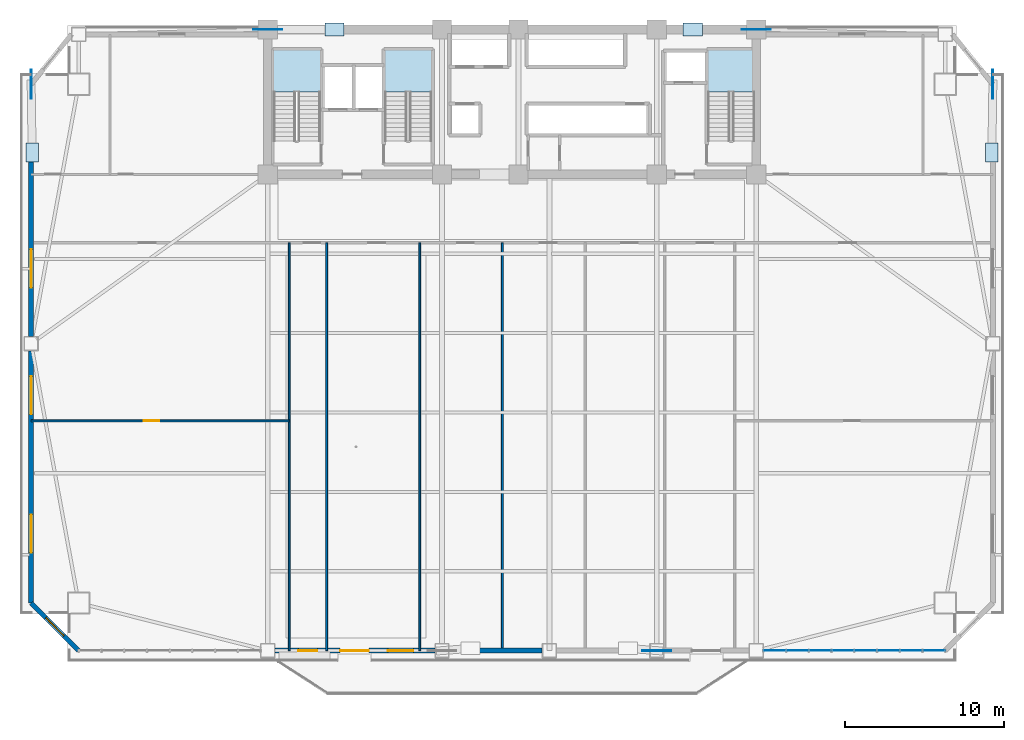
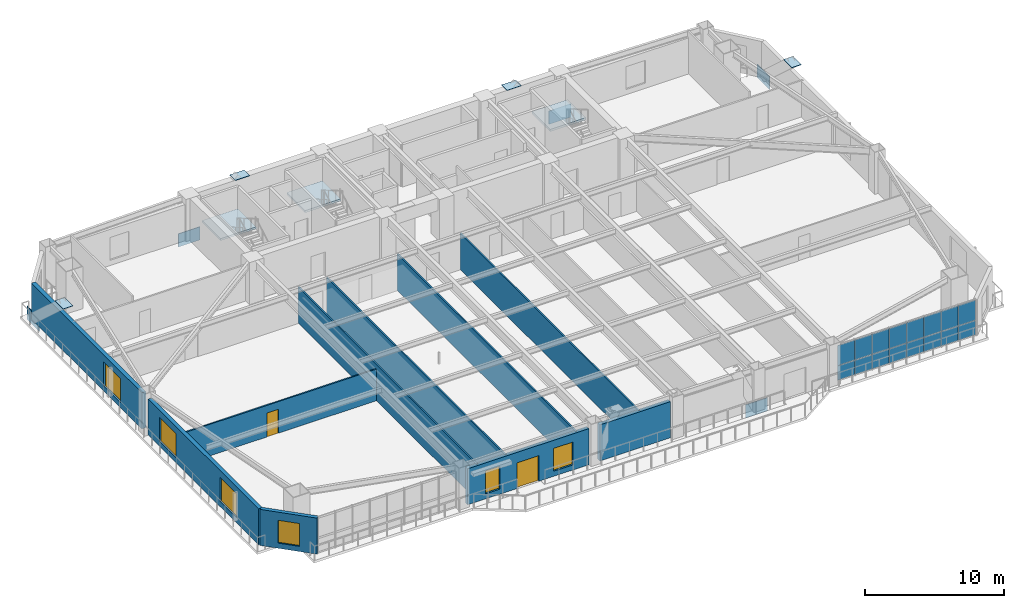
# One storey, part 7 of 15: 25 plates, 10 walls, 6 windows, 3 slabs, 2 doors, 8 openings, 4 elements without a shape of their own.
"""IFC4 building model written with IfcOpenShell, lengths in metres."""

import ifcopenshell
import ifcopenshell.guid

model = None  # the IFC model being written
_history = None  # IfcOwnerHistory: only IFC2X3 demands one
_inside = {}  # id of a spatial element -> (the spatial element, [elements in it])
_under = {}  # id of a project, library or spatial element -> (it, [spatial elements below it])
_declared = {}  # id of a project -> (the project, [libraries it declares])
_typed = {}  # id of a type object -> (the type object, [elements of that type])
_made_of = {}  # id of a material, layer set ... -> (it, [elements and type objects made of it])


def new_model(schema):
    """Start an empty IFC model of exactly this schema.

    Asked for "IFC4X3", IfcOpenShell would pick the latest addendum, in which some entities
    have other attributes; the version numbers below select the first issue.
    IFC2X3 requires an IfcOwnerHistory on every rooted entity: one is made here for all.
    """
    global model, _history
    if schema == "IFC4X3":
        model = ifcopenshell.file(schema_version=(4, 3, 0, 0))
    else:
        model = ifcopenshell.file(schema=schema)
    _inside.clear()
    _under.clear()
    _declared.clear()
    _typed.clear()
    _made_of.clear()
    _history = None
    if model.schema == "IFC2X3":
        org = make("IfcOrganization", Name="unknown")
        user = make(
            "IfcPersonAndOrganization",
            ThePerson=make("IfcPerson", FamilyName="unknown"),
            TheOrganization=org,
        )
        app = make(
            "IfcApplication",
            ApplicationDeveloper=org,
            Version="unknown",
            ApplicationFullName="unknown",
            ApplicationIdentifier="unknown",
        )
        _history = make(
            "IfcOwnerHistory",
            OwningUser=user,
            OwningApplication=app,
            ChangeAction="ADDED",
            CreationDate=0,
        )
    return model


def make(cls, **values):
    """One entity of the class cls with the attributes given. An attribute that is None is left unset."""
    return model.create_entity(
        cls, **{name: value for name, value in values.items() if value is not None}
    )


def rooted(cls, **values):
    """An entity with a GlobalId (a new one), such as an element, a storey or a relation."""
    return make(cls, GlobalId=ifcopenshell.guid.new(), OwnerHistory=_history, **values)


def si_unit(unit_type, name, prefix=None):
    """IfcSIUnit, for example si_unit("LENGTHUNIT", "METRE", prefix="MILLI")."""
    return make("IfcSIUnit", UnitType=unit_type, Prefix=prefix, Name=name)


def assignment(units):
    """IfcUnitAssignment: the units of a project."""
    return None if units is None else make("IfcUnitAssignment", Units=units)


def point(xyz):
    """IfcCartesianPoint."""
    return None if xyz is None else make("IfcCartesianPoint", Coordinates=xyz)


def direction(xyz):
    """IfcDirection."""
    return None if xyz is None else make("IfcDirection", DirectionRatios=xyz)


def frame(location, z_axis=None, x_axis=None):
    """IfcAxis2Placement3D, a coordinate frame: its origin and axes. An axis left out is left unset."""
    return make(
        "IfcAxis2Placement3D",
        Location=point(location),
        Axis=direction(z_axis),
        RefDirection=direction(x_axis),
    )


def frame_2d(location, x_axis=None):
    """IfcAxis2Placement2D, a coordinate frame in the plane: its origin and x axis."""
    return make(
        "IfcAxis2Placement2D", Location=point(location), RefDirection=direction(x_axis)
    )


def origin():
    """The frame at (0, 0, 0) with its axes left unset."""
    return frame((0.0, 0.0, 0.0))


def origin_2d():
    """The frame at (0, 0) in the plane with its x axis left unset."""
    return frame_2d((0.0, 0.0))


def place(relative_to, where):
    """IfcLocalPlacement: puts the frame where relative to a parent placement (None: the world)."""
    return make(
        "IfcLocalPlacement", PlacementRelTo=relative_to, RelativePlacement=where
    )


def context(
    kind, dimensions, precision=None, world=None, true_north=None, identifier=None
):
    """IfcGeometricRepresentationContext, for example the 3D "Model" context."""
    return make(
        "IfcGeometricRepresentationContext",
        ContextIdentifier=identifier,
        ContextType=kind,
        CoordinateSpaceDimension=dimensions,
        Precision=precision,
        WorldCoordinateSystem=world,
        TrueNorth=true_north,
    )


def subcontext(parent, identifier, kind, view, scale=None):
    """IfcGeometricRepresentationSubContext, for example "Body" below "Model"."""
    return make(
        "IfcGeometricRepresentationSubContext",
        ContextIdentifier=identifier,
        ContextType=kind,
        ParentContext=parent,
        TargetScale=scale,
        TargetView=view,
    )


def project(units=None, contexts=None):
    """IfcProject with its units and contexts."""
    return rooted(
        "IfcProject",
        Name="project",
        RepresentationContexts=contexts,
        UnitsInContext=assignment(units),
    )


def spatial(cls, under=None, at=None, **own):
    """A site, building, storey or space (cls), placed at a placement, below another one or the project."""
    s = rooted(cls, ObjectPlacement=at, **own)
    if under is not None:
        _under.setdefault(under.id(), (under, []))[1].append(s)
    return s


def polyline(points):
    """IfcPolyline through the points."""
    return make("IfcPolyline", Points=[point(p) for p in points])


def profile(cls, at=None, kind="AREA", **sizes):
    """A parametric profile (cls). Its sizes go by their IFC names, for example OverallWidth=200.0."""
    return make(cls, ProfileType=kind, Position=at, **sizes)


def rectangle(**sizes):
    """IfcRectangleProfileDef."""
    return profile("IfcRectangleProfileDef", **sizes)


def outline(outer, holes=None, kind="AREA"):
    """IfcArbitraryClosedProfileDef: a profile drawn as a closed curve; with holes, ...WithVoids."""
    if holes is None:
        return make("IfcArbitraryClosedProfileDef", ProfileType=kind, OuterCurve=outer)
    return make(
        "IfcArbitraryProfileDefWithVoids",
        ProfileType=kind,
        OuterCurve=outer,
        InnerCurves=holes,
    )


def extrude(swept, where, along, depth):
    """IfcExtrudedAreaSolid: the profile swept, set in the frame where, extruded along a direction by depth."""
    return make(
        "IfcExtrudedAreaSolid",
        SweptArea=swept,
        Position=where,
        ExtrudedDirection=direction(along),
        Depth=depth,
    )


def shape(context_of_items, identifier, shape_type, items):
    """IfcShapeRepresentation: the items that make up one representation, for example the "Body"."""
    return make(
        "IfcShapeRepresentation",
        ContextOfItems=context_of_items,
        RepresentationIdentifier=identifier,
        RepresentationType=shape_type,
        Items=items,
    )


def source(mapping_origin, context_of_items, identifier, shape_type, items):
    """IfcRepresentationMap: a shape defined once, which mapped items show again and again."""
    return make(
        "IfcRepresentationMap",
        MappingOrigin=mapping_origin,
        MappedRepresentation=shape(context_of_items, identifier, shape_type, items),
    )


def transform(
    local_origin,
    x_axis=None,
    y_axis=None,
    z_axis=None,
    scale=None,
    scale2=None,
    scale3=None,
    uniform=True,
):
    """IfcCartesianTransformationOperator3D, or its non-uniform kind. x_axis, y_axis, z_axis: its Axis1, 2, 3."""
    if uniform:
        return make(
            "IfcCartesianTransformationOperator3D",
            Axis1=direction(x_axis),
            Axis2=direction(y_axis),
            LocalOrigin=point(local_origin),
            Scale=scale,
            Axis3=direction(z_axis),
        )
    return make(
        "IfcCartesianTransformationOperator3DnonUniform",
        Axis1=direction(x_axis),
        Axis2=direction(y_axis),
        LocalOrigin=point(local_origin),
        Scale=scale,
        Axis3=direction(z_axis),
        Scale2=scale2,
        Scale3=scale3,
    )


def mapped(mapping_source, mapping_target):
    """IfcMappedItem: shows the shape of a source again, moved by a transform."""
    return make(
        "IfcMappedItem", MappingSource=mapping_source, MappingTarget=mapping_target
    )


def material(Name=None, Category=None):
    """IfcMaterial."""
    return make("IfcMaterial", Name=Name, Category=Category)


def layer(
    of_material, thickness, ventilated=None, Name=None, Category=None, Priority=None
):
    """IfcMaterialLayer: one layer of a wall or slab, of a material (None: an air gap)."""
    return make(
        "IfcMaterialLayer",
        Material=of_material,
        LayerThickness=thickness,
        IsVentilated=ventilated,
        Name=Name,
        Category=Category,
        Priority=Priority,
    )


def layer_set(layers, Name=None):
    """IfcMaterialLayerSet."""
    return make("IfcMaterialLayerSet", MaterialLayers=layers, LayerSetName=Name)


def made_of(thing, what):
    """Note that an element or type object is made of a material, layer set ...; save() writes the relation."""
    if what is not None:
        _made_of.setdefault(what.id(), (what, []))[1].append(thing)
    return thing


def type_object(cls, material=None, **own):
    """A type object (cls), such as IfcWallType, which elements share."""
    return made_of(rooted(cls, **own), material)


def element(
    cls,
    number,
    at=None,
    inside=None,
    cuts=None,
    type_object=None,
    material=None,
    context=None,
    identifier="Body",
    shape_type=None,
    held_by="IfcProductDefinitionShape",
    body=None,
    shapes=None,
    **own,
):
    """One element of the class cls, such as IfcWall. Its Tag is "e" and its number.

    at: its placement. inside: the storey or other place that contains it. cuts: it is an
    opening in that element (IfcRelVoidsElement). A single representation is given by context,
    identifier, shape_type and body (its items); several are given by shapes. held_by: the class
    of the entity that holds the representations. save() writes the other relations.
    """
    e = rooted(cls, Tag="e%d" % number, ObjectPlacement=at, **own)
    if body is not None:
        shapes = [shape(context, identifier, shape_type, body)]
    if shapes is not None:
        e.Representation = make(held_by, Representations=shapes)
    if inside is not None:
        _inside.setdefault(inside.id(), (inside, []))[1].append(e)
    if cuts is not None:
        rooted(
            "IfcRelVoidsElement", RelatingBuildingElement=cuts, RelatedOpeningElement=e
        )
    if type_object is not None:
        _typed.setdefault(type_object.id(), (type_object, []))[1].append(e)
    return made_of(e, material)


def fill(opening, filler):
    """IfcRelFillsElement: the door or window that sits in an opening."""
    return rooted(
        "IfcRelFillsElement",
        RelatingOpeningElement=opening,
        RelatedBuildingElement=filler,
    )


def aggregate(whole, parts):
    """IfcRelAggregates: a whole, such as a stair, and the parts it consists of."""
    return rooted("IfcRelAggregates", RelatingObject=whole, RelatedObjects=parts)


def save(model, path):
    """Write the relations noted so far, then the file.

    IfcRelAggregates (storeys below a building ...), IfcRelContainedInSpatialStructure (elements
    in a storey), IfcRelDefinesByType, IfcRelAssociatesMaterial and IfcRelDeclares: one each for
    every whole, place, type object, material and project.
    """
    for whole, parts in _under.values():
        aggregate(whole, parts)
    for where, things in _inside.values():
        rooted(
            "IfcRelContainedInSpatialStructure",
            RelatedElements=things,
            RelatingStructure=where,
        )
    for kind, things in _typed.values():
        rooted("IfcRelDefinesByType", RelatedObjects=things, RelatingType=kind)
    for what, things in _made_of.values():
        rooted("IfcRelAssociatesMaterial", RelatedObjects=things, RelatingMaterial=what)
    for by, libraries in _declared.values():
        rooted("IfcRelDeclares", RelatingContext=by, RelatedDefinitions=libraries)
    model.write(path)


model = new_model("IFC4")

# Units and contexts
model_context = context("Model", 3, precision=1e-05, world=origin(), true_north=direction((0.0, 1.0)))
body_context = subcontext(model_context, "Body", "Model", "MODEL_VIEW")
ifc_project = project(units=[si_unit("LENGTHUNIT", "METRE"), si_unit("AREAUNIT", "SQUARE_METRE"), si_unit("VOLUMEUNIT", "CUBIC_METRE"), si_unit("PLANEANGLEUNIT", "RADIAN"), si_unit("MASSUNIT", "GRAM", prefix="KILO")], contexts=[model_context])

# Site, building, storey
site_placement = place(None, origin())
site = spatial("IfcSite", under=ifc_project, at=site_placement, CompositionType="ELEMENT")
building_placement = place(site_placement, origin())
building = spatial("IfcBuilding", under=site, at=building_placement, Name="Giltprow Tower", CompositionType="ELEMENT")
storey_placement = place(building_placement, frame((0.0, 0.0, 123.10009765625)))
storey = spatial("IfcBuildingStorey", under=building, at=storey_placement, Name="L30", CompositionType="ELEMENT", Elevation=123.10009765625)

# Stair, slab
ifc_material_1 = material(Name="Concrete C40", Category="concrete")
stair_type_1 = type_object("IfcStairType", Name="STR-ST-1", PredefinedType="HALF_TURN_STAIR", material=ifc_material_1)
stair_1_placement = place(storey_placement, origin())
stair_1 = element("IfcStair", 1, at=stair_1_placement, inside=storey, type_object=stair_type_1, Name="L30 Core Exit Stair ST-1", PredefinedType="HALF_TURN_STAIR")
ifc_layer_1 = layer(ifc_material_1, 0.179931640625, Name="Concrete C40")
ifc_layer_set_1 = layer_set([ifc_layer_1], Name="Concrete C40")
slab_type_1 = type_object("IfcSlabType", Name="SLD-ST-1", PredefinedType="LANDING", material=ifc_layer_set_1)
slab_1_placement = place(storey_placement, frame((0.0, 0.0, 1.77001953125)))
slab_1 = element("IfcSlab", 2, at=slab_1_placement, type_object=slab_type_1, Name="ST-1 landing 1", PredefinedType="LANDING", context=body_context, shape_type="SweptSolid", body=[
    extrude(outline(polyline([(23.159912109375, 42.6298828125), (23.159912109375, 45.25), (20.199951171875, 45.25), (20.199951171875, 42.6298828125), (23.159912109375, 42.6298828125)])), origin(), (0.0, 0.0, 1.0), 0.179931640625),
])
aggregate(stair_1, [slab_1])

stair_type_2 = type_object("IfcStairType", Name="STR-ST-2", PredefinedType="HALF_TURN_STAIR", material=ifc_material_1)
stair_2_placement = place(storey_placement, origin())
stair_2 = element("IfcStair", 3, at=stair_2_placement, inside=storey, type_object=stair_type_2, Name="L30 Core Exit Stair ST-2", PredefinedType="HALF_TURN_STAIR")
ifc_layer_2 = layer(ifc_material_1, 0.18798828125, Name="Concrete C40")
ifc_layer_set_2 = layer_set([ifc_layer_2], Name="Concrete C40")
slab_type_2 = type_object("IfcSlabType", Name="SLD-ST-2", PredefinedType="LANDING", material=ifc_layer_set_2)
slab_2_placement = place(storey_placement, frame((0.0, 0.0, 1.761962890625)))
slab_2 = element("IfcSlab", 4, at=slab_2_placement, type_object=slab_type_2, Name="ST-2 landing 1", PredefinedType="LANDING", context=body_context, shape_type="SweptSolid", body=[
    extrude(outline(polyline([(30.159912109375, 42.6298828125), (30.159912109375, 45.25), (27.199951171875, 45.25), (27.199951171875, 42.6298828125), (30.159912109375, 42.6298828125)])), origin(), (0.0, 0.0, 1.0), 0.18798828125),
])
aggregate(stair_2, [slab_2])

stair_type_3 = type_object("IfcStairType", Name="STR-ST-3", PredefinedType="HALF_TURN_STAIR", material=ifc_material_1)
stair_3_placement = place(storey_placement, origin())
stair_3 = element("IfcStair", 5, at=stair_3_placement, inside=storey, type_object=stair_type_3, Name="L30 Core Exit Stair ST-3", PredefinedType="HALF_TURN_STAIR")
ifc_layer_3 = layer(ifc_material_1, 0.196044921875, Name="Concrete C40")
ifc_layer_set_3 = layer_set([ifc_layer_3], Name="Concrete C40")
slab_type_3 = type_object("IfcSlabType", Name="SLD-ST-3", PredefinedType="LANDING", material=ifc_layer_set_3)
slab_3_placement = place(storey_placement, frame((0.0, 0.0, 1.75390625)))
slab_3 = element("IfcSlab", 6, at=slab_3_placement, type_object=slab_type_3, Name="ST-3 landing 1", PredefinedType="LANDING", context=body_context, shape_type="SweptSolid", body=[
    extrude(outline(polyline([(50.4599609375, 42.6298828125), (50.4599609375, 45.25), (47.5, 45.25), (47.5, 42.6298828125), (50.4599609375, 42.6298828125)])), origin(), (0.0, 0.0, 1.0), 0.196044921875),
])
aggregate(stair_3, [slab_3])

# Plates
ifc_material_2 = material(Name="Structural steel Q420GJC", Category="steel")
plate_type_1 = type_object("IfcPlateType", Name="PLT-NODE-MBN1", PredefinedType="USERDEFINED", material=ifc_material_2)
shared_shape_1 = source(origin(), body_context, "Body", "SweptSolid", [
    extrude(rectangle(XDim=1.800048828125, YDim=0.050048828125, at=origin_2d()), origin(), (0.0, 0.0, 1.0), 1.14990234375),
])
for number, where, z_axis, x_axis, name in (
    (7, (44.300048828125, 7.51806640625, -0.574951171875), (0.0, 0.0, 1.0), (1.0, 0.0, 0.0), "Mega-Brace Node L30-S-RA"),
    (8, (19.85009765625, 46.550048828125, -0.715087890625), (0.0, 0.0, 1.0), (1.0, 0.0, 0.0), "Mega-Brace Node L30-N-LA"),
    (9, (50.550048828125, 46.550048828125, -0.715087890625), (0.0, 0.0, 1.0), (1.0, 0.0, 0.0), "Mega-Brace Node L30-N-RA"),
    (10, (4.97900390625, 43.10888671875, -0.574951171875), (0.0, 0.0, 1.0), (0.0, 1.0, 0.0), "Mega-Brace Node L30-W-RA"),
    (11, (65.4208984375, 43.10888671875, -0.574951171875), (0.0, 0.0, 1.0), (0.0, 1.0, 0.0), "Mega-Brace Node L30-E-RA"),
):
    element("IfcPlate", number, at=place(storey_placement, frame(where, z_axis=z_axis, x_axis=x_axis)), inside=storey, type_object=plate_type_1, Name=name, ObjectType="GUSSET", PredefinedType="USERDEFINED", context=body_context, shape_type="MappedRepresentation", body=[
        mapped(shared_shape_1, transform((0.0, 0.0, 0.0), x_axis=(1.0, 0.0, 0.0), y_axis=(0.0, 1.0, 0.0), z_axis=(0.0, 0.0, 1.0), scale=1.0)),
    ])
plate_type_2 = type_object("IfcPlateType", Name="PLT-CAP-SEAL", PredefinedType="USERDEFINED", material=ifc_material_2)
shared_shape_2 = source(origin(), body_context, "Body", "SweptSolid", [
    extrude(rectangle(XDim=1.199951171875, YDim=0.800048828125, at=origin_2d()), origin(), (0.0, 0.0, 1.0), 0.034912109375),
])
for number, where, z_axis, x_axis, name in (
    (12, (24.056884765625, 46.550048828125, 3.74267578125), (0.0, 0.0, 1.0), (1.0, 0.0, 0.0), "Mega-Brace Node L30-N-LB"),
    (13, (46.556884765625, 46.550048828125, 3.74267578125), (0.0, 0.0, 1.0), (1.0, 0.0, 0.0), "Mega-Brace Node L30-N-RB"),
    (14, (5.0419921875, 38.824951171875, 3.88232421875), (0.0, 0.0, 1.0), (0.0, 1.0, 0.0), "Mega-Brace Node L30-W-RB"),
    (15, (65.35791015625, 38.824951171875, 3.88232421875), (0.0, 0.0, 1.0), (0.0, 1.0, 0.0), "Mega-Brace Node L30-E-RB"),
):
    element("IfcPlate", number, at=place(storey_placement, frame(where, z_axis=z_axis, x_axis=x_axis)), inside=storey, type_object=plate_type_2, Name=name, ObjectType="SPLICE", PredefinedType="USERDEFINED", context=body_context, shape_type="MappedRepresentation", body=[
        mapped(shared_shape_2, transform((0.0, 0.0, 0.0), x_axis=(1.0, 0.0, 0.0), y_axis=(0.0, 1.0, 0.0), z_axis=(0.0, 0.0, 1.0), scale=1.0)),
    ])

# Curtain wall, plates
ifc_material_3 = material(Name="Anodized bronze", Category="metal")
ifc_layer_4 = layer(ifc_material_3, 0.179931640625, Name="Anodized bronze")
ifc_layer_set_4 = layer_set([ifc_layer_4], Name="Anodized bronze")
curtain_wall_type = type_object("IfcCurtainWallType", Name="CW-OFF-RECESSED", PredefinedType="NOTDEFINED", material=ifc_layer_set_4)
curtain_wall_placement = place(storey_placement, origin())
curtain_wall = element("IfcCurtainWall", 16, at=curtain_wall_placement, inside=storey, type_object=curtain_wall_type, Name="L30 South Recessed Curtain Wall 6", PredefinedType="NOTDEFINED")
ifc_material_4 = material(Name="Insulated glass", Category="glass")
plate_type_3 = type_object("IfcPlateType", Name="CW-PANEL-IGU-28", PredefinedType="CURTAIN_PANEL", material=ifc_material_4)
shared_shape_3 = source(origin(), body_context, "Body", "SweptSolid", [
    extrude(rectangle(XDim=1.39892578125, YDim=0.028076171875, at=origin_2d()), origin(), (0.0, 0.0, 1.0), 1.259033203125),
])
plate_1_placement = place(storey_placement, frame((51.714111328125, 7.51806640625, 0.05419921875), z_axis=(0.0, 0.0, 1.0), x_axis=(1.0, 0.0, 0.0)))
plate_1 = element("IfcPlate", 17, at=plate_1_placement, type_object=plate_type_3, Name="L30 South Recessed Curtain Wall 6 Glazing Panel 1-1", PredefinedType="CURTAIN_PANEL", context=body_context, shape_type="MappedRepresentation", body=[
    mapped(shared_shape_3, transform((0.0, 0.0, 0.0), x_axis=(1.0, 0.0, 0.0), y_axis=(0.0, 1.0, 0.0), z_axis=(0.0, 0.0, 1.0), scale=1.0)),
])
plate_2_placement = place(storey_placement, frame((53.14306640625, 7.51806640625, 0.05419921875), z_axis=(0.0, 0.0, 1.0), x_axis=(1.0, 0.0, 0.0)))
plate_2 = element("IfcPlate", 18, at=plate_2_placement, type_object=plate_type_3, Name="L30 South Recessed Curtain Wall 6 Glazing Panel 2-1", PredefinedType="CURTAIN_PANEL", context=body_context, shape_type="MappedRepresentation", body=[
    mapped(shared_shape_3, transform((0.0, 0.0, 0.0), x_axis=(1.0, 0.0, 0.0), y_axis=(0.0, 1.0, 0.0), z_axis=(0.0, 0.0, 1.0), scale=1.0)),
])
plate_3_placement = place(storey_placement, frame((54.572021484375, 7.51806640625, 0.05419921875), z_axis=(0.0, 0.0, 1.0), x_axis=(1.0, 0.0, 0.0)))
plate_3 = element("IfcPlate", 19, at=plate_3_placement, type_object=plate_type_3, Name="L30 South Recessed Curtain Wall 6 Glazing Panel 3-1", PredefinedType="CURTAIN_PANEL", context=body_context, shape_type="MappedRepresentation", body=[
    mapped(shared_shape_3, transform((0.0, 0.0, 0.0), x_axis=(1.0, 0.0, 0.0), y_axis=(0.0, 1.0, 0.0), z_axis=(0.0, 0.0, 1.0), scale=1.0)),
])
plate_4_placement = place(storey_placement, frame((56.0009765625, 7.51806640625, 0.05419921875), z_axis=(0.0, 0.0, 1.0), x_axis=(1.0, 0.0, 0.0)))
plate_4 = element("IfcPlate", 20, at=plate_4_placement, type_object=plate_type_3, Name="L30 South Recessed Curtain Wall 6 Glazing Panel 4-1", PredefinedType="CURTAIN_PANEL", context=body_context, shape_type="MappedRepresentation", body=[
    mapped(shared_shape_3, transform((0.0, 0.0, 0.0), x_axis=(1.0, 0.0, 0.0), y_axis=(0.0, 1.0, 0.0), z_axis=(0.0, 0.0, 1.0), scale=1.0)),
])
plate_5_placement = place(storey_placement, frame((57.428955078125, 7.51806640625, 0.05419921875), z_axis=(0.0, 0.0, 1.0), x_axis=(1.0, 0.0, 0.0)))
plate_5 = element("IfcPlate", 21, at=plate_5_placement, type_object=plate_type_3, Name="L30 South Recessed Curtain Wall 6 Glazing Panel 5-1", PredefinedType="CURTAIN_PANEL", context=body_context, shape_type="MappedRepresentation", body=[
    mapped(shared_shape_3, transform((0.0, 0.0, 0.0), x_axis=(1.0, 0.0, 0.0), y_axis=(0.0, 1.0, 0.0), z_axis=(0.0, 0.0, 1.0), scale=1.0)),
])
plate_6_placement = place(storey_placement, frame((58.85791015625, 7.51806640625, 0.05419921875), z_axis=(0.0, 0.0, 1.0), x_axis=(1.0, 0.0, 0.0)))
plate_6 = element("IfcPlate", 22, at=plate_6_placement, type_object=plate_type_3, Name="L30 South Recessed Curtain Wall 6 Glazing Panel 6-1", PredefinedType="CURTAIN_PANEL", context=body_context, shape_type="MappedRepresentation", body=[
    mapped(shared_shape_3, transform((0.0, 0.0, 0.0), x_axis=(1.0, 0.0, 0.0), y_axis=(0.0, 1.0, 0.0), z_axis=(0.0, 0.0, 1.0), scale=1.0)),
])
plate_7_placement = place(storey_placement, frame((60.287109375, 7.51806640625, 0.05419921875), z_axis=(0.0, 0.0, 1.0), x_axis=(1.0, 0.0, 0.0)))
plate_7 = element("IfcPlate", 23, at=plate_7_placement, type_object=plate_type_3, Name="L30 South Recessed Curtain Wall 6 Glazing Panel 7-1", PredefinedType="CURTAIN_PANEL", context=body_context, shape_type="MappedRepresentation", body=[
    mapped(shared_shape_3, transform((0.0, 0.0, 0.0), x_axis=(1.0, 0.0, 0.0), y_axis=(0.0, 1.0, 0.0), z_axis=(0.0, 0.0, 1.0), scale=1.0)),
])
plate_8_placement = place(storey_placement, frame((61.716064453125, 7.51806640625, 0.05419921875), z_axis=(0.0, 0.0, 1.0), x_axis=(1.0, 0.0, 0.0)))
plate_8 = element("IfcPlate", 24, at=plate_8_placement, type_object=plate_type_3, Name="L30 South Recessed Curtain Wall 6 Glazing Panel 8-1", PredefinedType="CURTAIN_PANEL", context=body_context, shape_type="MappedRepresentation", body=[
    mapped(shared_shape_3, transform((0.0, 0.0, 0.0), x_axis=(1.0, 0.0, 0.0), y_axis=(0.0, 1.0, 0.0), z_axis=(0.0, 0.0, 1.0), scale=1.0)),
])
shared_shape_4 = source(origin(), body_context, "Body", "SweptSolid", [
    extrude(rectangle(XDim=1.39892578125, YDim=0.028076171875, at=origin_2d()), origin(), (0.0, 0.0, 1.0), 1.764892578125),
])
plate_9_placement = place(storey_placement, frame((51.714111328125, 7.51806640625, 1.34033203125), z_axis=(0.0, 0.0, 1.0), x_axis=(1.0, 0.0, 0.0)))
plate_9 = element("IfcPlate", 25, at=plate_9_placement, type_object=plate_type_3, Name="L30 South Recessed Curtain Wall 6 Glazing Panel 1-2", PredefinedType="CURTAIN_PANEL", context=body_context, shape_type="MappedRepresentation", body=[
    mapped(shared_shape_4, transform((0.0, 0.0, 0.0), x_axis=(1.0, 0.0, 0.0), y_axis=(0.0, 1.0, 0.0), z_axis=(0.0, 0.0, 1.0), scale=1.0)),
])
plate_10_placement = place(storey_placement, frame((53.14306640625, 7.51806640625, 1.34033203125), z_axis=(0.0, 0.0, 1.0), x_axis=(1.0, 0.0, 0.0)))
plate_10 = element("IfcPlate", 26, at=plate_10_placement, type_object=plate_type_3, Name="L30 South Recessed Curtain Wall 6 Glazing Panel 2-2", PredefinedType="CURTAIN_PANEL", context=body_context, shape_type="MappedRepresentation", body=[
    mapped(shared_shape_4, transform((0.0, 0.0, 0.0), x_axis=(1.0, 0.0, 0.0), y_axis=(0.0, 1.0, 0.0), z_axis=(0.0, 0.0, 1.0), scale=1.0)),
])
plate_11_placement = place(storey_placement, frame((54.572021484375, 7.51806640625, 1.34033203125), z_axis=(0.0, 0.0, 1.0), x_axis=(1.0, 0.0, 0.0)))
plate_11 = element("IfcPlate", 27, at=plate_11_placement, type_object=plate_type_3, Name="L30 South Recessed Curtain Wall 6 Glazing Panel 3-2", PredefinedType="CURTAIN_PANEL", context=body_context, shape_type="MappedRepresentation", body=[
    mapped(shared_shape_4, transform((0.0, 0.0, 0.0), x_axis=(1.0, 0.0, 0.0), y_axis=(0.0, 1.0, 0.0), z_axis=(0.0, 0.0, 1.0), scale=1.0)),
])
plate_12_placement = place(storey_placement, frame((56.0009765625, 7.51806640625, 1.34033203125), z_axis=(0.0, 0.0, 1.0), x_axis=(1.0, 0.0, 0.0)))
plate_12 = element("IfcPlate", 28, at=plate_12_placement, type_object=plate_type_3, Name="L30 South Recessed Curtain Wall 6 Glazing Panel 4-2", PredefinedType="CURTAIN_PANEL", context=body_context, shape_type="MappedRepresentation", body=[
    mapped(shared_shape_4, transform((0.0, 0.0, 0.0), x_axis=(1.0, 0.0, 0.0), y_axis=(0.0, 1.0, 0.0), z_axis=(0.0, 0.0, 1.0), scale=1.0)),
])
plate_13_placement = place(storey_placement, frame((57.428955078125, 7.51806640625, 1.34033203125), z_axis=(0.0, 0.0, 1.0), x_axis=(1.0, 0.0, 0.0)))
plate_13 = element("IfcPlate", 29, at=plate_13_placement, type_object=plate_type_3, Name="L30 South Recessed Curtain Wall 6 Glazing Panel 5-2", PredefinedType="CURTAIN_PANEL", context=body_context, shape_type="MappedRepresentation", body=[
    mapped(shared_shape_4, transform((0.0, 0.0, 0.0), x_axis=(1.0, 0.0, 0.0), y_axis=(0.0, 1.0, 0.0), z_axis=(0.0, 0.0, 1.0), scale=1.0)),
])
plate_14_placement = place(storey_placement, frame((58.85791015625, 7.51806640625, 1.34033203125), z_axis=(0.0, 0.0, 1.0), x_axis=(1.0, 0.0, 0.0)))
plate_14 = element("IfcPlate", 30, at=plate_14_placement, type_object=plate_type_3, Name="L30 South Recessed Curtain Wall 6 Glazing Panel 6-2", PredefinedType="CURTAIN_PANEL", context=body_context, shape_type="MappedRepresentation", body=[
    mapped(shared_shape_4, transform((0.0, 0.0, 0.0), x_axis=(1.0, 0.0, 0.0), y_axis=(0.0, 1.0, 0.0), z_axis=(0.0, 0.0, 1.0), scale=1.0)),
])
plate_15_placement = place(storey_placement, frame((60.287109375, 7.51806640625, 1.34033203125), z_axis=(0.0, 0.0, 1.0), x_axis=(1.0, 0.0, 0.0)))
plate_15 = element("IfcPlate", 31, at=plate_15_placement, type_object=plate_type_3, Name="L30 South Recessed Curtain Wall 6 Glazing Panel 7-2", PredefinedType="CURTAIN_PANEL", context=body_context, shape_type="MappedRepresentation", body=[
    mapped(shared_shape_4, transform((0.0, 0.0, 0.0), x_axis=(1.0, 0.0, 0.0), y_axis=(0.0, 1.0, 0.0), z_axis=(0.0, 0.0, 1.0), scale=1.0)),
])
plate_16_placement = place(storey_placement, frame((61.716064453125, 7.51806640625, 1.34033203125), z_axis=(0.0, 0.0, 1.0), x_axis=(1.0, 0.0, 0.0)))
plate_16 = element("IfcPlate", 32, at=plate_16_placement, type_object=plate_type_3, Name="L30 South Recessed Curtain Wall 6 Glazing Panel 8-2", PredefinedType="CURTAIN_PANEL", context=body_context, shape_type="MappedRepresentation", body=[
    mapped(shared_shape_4, transform((0.0, 0.0, 0.0), x_axis=(1.0, 0.0, 0.0), y_axis=(0.0, 1.0, 0.0), z_axis=(0.0, 0.0, 1.0), scale=1.0)),
])
aggregate(curtain_wall, [plate_1, plate_9, plate_2, plate_10, plate_3, plate_11, plate_4, plate_12, plate_5, plate_13, plate_6, plate_14, plate_7, plate_15, plate_8, plate_16])

# Wall, opening, window
ifc_material_5 = material(Name="Precast concrete C40", Category="concrete")
ifc_layer_5 = layer(ifc_material_5, 0.300048828125, Name="Precast concrete C40")
ifc_layer_set_5 = layer_set([ifc_layer_5], Name="Precast concrete C40")
wall_type_1 = type_object("IfcWallType", Name="EW-NOTCH-CHAMFER-300", PredefinedType="SOLIDWALL", material=ifc_layer_set_5)
wall_1_placement = place(storey_placement, frame((4.97900390625, 10.509033203125, 0.0), z_axis=(0.0, 0.0, 1.0), x_axis=(0.707106781187, -0.707106781187, 0.0)))
wall_1 = element("IfcWall", 33, at=wall_1_placement, inside=storey, type_object=wall_type_1, Name="L30 Corner Notch Wall SW", PredefinedType="SOLIDWALL", context=body_context, shape_type="SweptSolid", body=[
    extrude(rectangle(XDim=4.22998046875, YDim=0.300048828125, at=frame_2d((2.114990234375, 0.0))), origin(), (0.0, 0.0, 1.0), 3.159912109375),
])
opening_1_placement = place(wall_1_placement, frame((1.31494140625, 0.0, 0.449951171875)))
opening_1 = element("IfcOpeningElement", 34, at=opening_1_placement, cuts=wall_1, Name="Opening WN17", PredefinedType="OPENING", context=body_context, shape_type="SweptSolid", body=[
    extrude(rectangle(XDim=1.60009765625, YDim=2.0, at=frame_2d((0.800048828125, 1.0))), frame((0.0, 0.159912109375, 0.0), z_axis=(0.0, -1.0, 0.0), x_axis=(1.0, 0.0, 0.0)), (0.0, 0.0, 1.0), 0.320068359375),
])
window_type_1 = type_object("IfcWindowType", Name="WN-COR-1600x2000", PartitioningType="SINGLE_PANEL", PredefinedType="WINDOW", material=ifc_material_4)
shared_shape_5 = source(origin(), body_context, "Body", "SweptSolid", [
    extrude(rectangle(XDim=1.60009765625, YDim=2.0, at=frame_2d((0.800048828125, 1.0))), frame((0.0, 0.030029296875, 0.0), z_axis=(0.0, -1.0, 0.0), x_axis=(1.0, 0.0, 0.0)), (0.0, 0.0, 1.0), 0.06005859375),
])
window_1_placement = place(opening_1_placement, origin())
window_1 = element("IfcWindow", 35, at=window_1_placement, inside=storey, type_object=window_type_1, Name="L30 Corner Notch Window SW", OverallHeight=2.0, OverallWidth=1.60009765625, PartitioningType="SINGLE_PANEL", PredefinedType="WINDOW", context=body_context, shape_type="MappedRepresentation", body=[
    mapped(shared_shape_5, transform((0.0, 0.0, 0.0), x_axis=(1.0, 0.0, 0.0), y_axis=(0.0, 1.0, 0.0), z_axis=(0.0, 0.0, 1.0), scale=1.0)),
])
fill(opening_1, window_1)

# Wall, openings, windows, door
ifc_layer_6 = layer(ifc_material_5, 0.320068359375, Name="Precast concrete C40")
ifc_layer_set_6 = layer_set([ifc_layer_6], Name="Precast concrete C40")
wall_type_2 = type_object("IfcWallType", Name="EW-TOW-STONE-320", PredefinedType="SOLIDWALL", material=ifc_layer_set_6)
wall_2_placement = place(storey_placement, frame((20.300048828125, 7.51806640625, 0.0), z_axis=(0.0, 0.0, 1.0), x_axis=(1.0, 0.0, 0.0)))
wall_2 = element("IfcWall", 36, at=wall_2_placement, inside=storey, type_object=wall_type_2, Name="L30 South Expressed Frame Wall 2", PredefinedType="SOLIDWALL", context=body_context, shape_type="SweptSolid", body=[
    extrude(rectangle(XDim=10.050048828125, YDim=0.320068359375, at=frame_2d((5.02490234375, 0.0))), origin(), (0.0, 0.0, 1.0), 3.159912109375),
])
opening_2_placement = place(wall_2_placement, frame((4.10009765625, 0.0, 0.0)))
opening_2 = element("IfcOpeningElement", 37, at=opening_2_placement, cuts=wall_2, Name="Opening ED25", PredefinedType="OPENING", context=body_context, shape_type="SweptSolid", body=[
    extrude(rectangle(XDim=1.800048828125, YDim=2.25, at=frame_2d((0.89990234375, 1.125))), frame((0.0, 0.169921875, 0.0), z_axis=(0.0, -1.0, 0.0), x_axis=(1.0, 0.0, 0.0)), (0.0, 0.0, 1.0), 0.340087890625),
])
opening_3_placement = place(wall_2_placement, frame((1.47509765625, 0.0, 0.449951171875)))
opening_3 = element("IfcOpeningElement", 38, at=opening_3_placement, cuts=wall_2, Name="Opening WN11", PredefinedType="OPENING", context=body_context, shape_type="SweptSolid", body=[
    extrude(rectangle(XDim=1.199951171875, YDim=2.0, at=frame_2d((0.60009765625, 1.0))), frame((0.0, 0.169921875, 0.0), z_axis=(0.0, -1.0, 0.0), x_axis=(1.0, 0.0, 0.0)), (0.0, 0.0, 1.0), 0.340087890625),
])
opening_4_placement = place(wall_2_placement, frame((7.10009765625, 0.0, 0.449951171875)))
opening_4 = element("IfcOpeningElement", 39, at=opening_4_placement, cuts=wall_2, Name="Opening WN17", PredefinedType="OPENING", context=body_context, shape_type="SweptSolid", body=[
    extrude(rectangle(XDim=1.60009765625, YDim=2.0, at=frame_2d((0.800048828125, 1.0))), frame((0.0, 0.169921875, 0.0), z_axis=(0.0, -1.0, 0.0), x_axis=(1.0, 0.0, 0.0)), (0.0, 0.0, 1.0), 0.340087890625),
])
window_2_placement = place(opening_4_placement, origin())
window_2 = element("IfcWindow", 40, at=window_2_placement, inside=storey, type_object=window_type_1, Name="L30 South Window 2B", OverallHeight=2.0, OverallWidth=1.60009765625, PartitioningType="SINGLE_PANEL", PredefinedType="WINDOW", context=body_context, shape_type="MappedRepresentation", body=[
    mapped(shared_shape_5, transform((0.0, 0.0, 0.0), x_axis=(1.0, 0.0, 0.0), y_axis=(0.0, 1.0, 0.0), z_axis=(0.0, 0.0, 1.0), scale=1.0)),
])
fill(opening_4, window_2)
ifc_material_6 = material(Name="Anodized bronze and glass", Category="glass")
door_type_1 = type_object("IfcDoorType", Name="DR-BALC-SLIDE-1800", OperationType="SLIDING_TO_LEFT", PredefinedType="DOOR", material=ifc_material_6)
shared_shape_6 = source(origin(), body_context, "Body", "SweptSolid", [
    extrude(rectangle(XDim=1.800048828125, YDim=2.25, at=frame_2d((0.89990234375, 1.125))), frame((0.0, 0.02490234375, 0.0), z_axis=(0.0, -1.0, 0.0), x_axis=(1.0, 0.0, 0.0)), (0.0, 0.0, 1.0), 0.050048828125),
])
door_1_placement = place(opening_2_placement, origin())
door_1 = element("IfcDoor", 41, at=door_1_placement, inside=storey, type_object=door_type_1, Name="L30 Waterfront Balcony Sliding Door 1", OperationType="SLIDING_TO_LEFT", OverallHeight=2.25, OverallWidth=1.800048828125, PredefinedType="DOOR", context=body_context, shape_type="MappedRepresentation", body=[
    mapped(shared_shape_6, transform((0.0, 0.0, 0.0), x_axis=(1.0, 0.0, 0.0), y_axis=(0.0, 1.0, 0.0), z_axis=(0.0, 0.0, 1.0), scale=1.0)),
])
fill(opening_2, door_1)
window_type_2 = type_object("IfcWindowType", Name="WN-LANCET-1200x2000", PartitioningType="SINGLE_PANEL", PredefinedType="WINDOW", material=ifc_material_4)
shared_shape_7 = source(origin(), body_context, "Body", "SweptSolid", [
    extrude(rectangle(XDim=1.199951171875, YDim=2.0, at=frame_2d((0.60009765625, 1.0))), frame((0.0, 0.030029296875, 0.0), z_axis=(0.0, -1.0, 0.0), x_axis=(1.0, 0.0, 0.0)), (0.0, 0.0, 1.0), 0.06005859375),
])
window_3_placement = place(opening_3_placement, origin())
window_3 = element("IfcWindow", 42, at=window_3_placement, inside=storey, type_object=window_type_2, Name="L30 South Window 2A", OverallHeight=2.0, OverallWidth=1.199951171875, PartitioningType="SINGLE_PANEL", PredefinedType="WINDOW", context=body_context, shape_type="MappedRepresentation", body=[
    mapped(shared_shape_7, transform((0.0, 0.0, 0.0), x_axis=(1.0, 0.0, 0.0), y_axis=(0.0, 1.0, 0.0), z_axis=(0.0, 0.0, 1.0), scale=1.0)),
])
fill(opening_3, window_3)

# Wall
wall_3_placement = place(storey_placement, frame((31.25, 7.51806640625, 0.0), z_axis=(0.0, 0.0, 1.0), x_axis=(1.0, 0.0, 0.0)))
element("IfcWall", 43, at=wall_3_placement, inside=storey, type_object=wall_type_2, Name="L30 South Expressed Frame Wall 3", PredefinedType="SOLIDWALL", context=body_context, shape_type="SweptSolid", body=[
    extrude(rectangle(XDim=5.85009765625, YDim=0.320068359375, at=frame_2d((2.925048828125, 0.0))), origin(), (0.0, 0.0, 1.0), 3.159912109375),
])

# Wall, openings, windows
wall_4_placement = place(storey_placement, frame((4.97900390625, 10.509033203125, 0.0), z_axis=(0.0, 0.0, 1.0), x_axis=(0.0, 1.0, 0.0)))
wall_4 = element("IfcWall", 44, at=wall_4_placement, inside=storey, type_object=wall_type_2, Name="L30 W Wing Masonry Wall 1", PredefinedType="SOLIDWALL", context=body_context, shape_type="SweptSolid", body=[
    extrude(rectangle(XDim=15.849853515625, YDim=0.320068359375, at=frame_2d((7.9248046875, 0.0))), origin(), (0.0, 0.0, 1.0), 3.159912109375),
])
opening_5_placement = place(wall_4_placement, frame((3.160888671875, 0.0, 0.449951171875)))
opening_5 = element("IfcOpeningElement", 45, at=opening_5_placement, cuts=wall_4, Name="Opening WN29", PredefinedType="OPENING", context=body_context, shape_type="SweptSolid", body=[
    extrude(rectangle(XDim=2.39990234375, YDim=2.10009765625, at=frame_2d((1.199951171875, 1.050048828125))), frame((0.0, 0.169921875, 0.0), z_axis=(0.0, -1.0, 0.0), x_axis=(1.0, 0.0, 0.0)), (0.0, 0.0, 1.0), 0.340087890625),
])
opening_6_placement = place(wall_4_placement, frame((11.85107421875, 0.0, 0.449951171875)))
opening_6 = element("IfcOpeningElement", 46, at=opening_6_placement, cuts=wall_4, Name="Opening WN29", PredefinedType="OPENING", context=body_context, shape_type="SweptSolid", body=[
    extrude(rectangle(XDim=2.39990234375, YDim=2.10009765625, at=frame_2d((1.199951171875, 1.050048828125))), frame((0.0, 0.169921875, 0.0), z_axis=(0.0, -1.0, 0.0), x_axis=(1.0, 0.0, 0.0)), (0.0, 0.0, 1.0), 0.340087890625),
])
window_type_3 = type_object("IfcWindowType", Name="WN-OFF-2400x2100", PartitioningType="DOUBLE_PANEL_VERTICAL", PredefinedType="WINDOW", material=ifc_material_4)
shared_shape_8 = source(origin(), body_context, "Body", "SweptSolid", [
    extrude(rectangle(XDim=2.39990234375, YDim=2.10009765625, at=frame_2d((1.199951171875, 1.050048828125))), frame((0.0, 0.030029296875, 0.0), z_axis=(0.0, -1.0, 0.0), x_axis=(1.0, 0.0, 0.0)), (0.0, 0.0, 1.0), 0.06005859375),
])
window_4_placement = place(opening_5_placement, origin())
window_4 = element("IfcWindow", 47, at=window_4_placement, inside=storey, type_object=window_type_3, Name="L30 W Wing Window 1-1A", OverallHeight=2.10009765625, OverallWidth=2.39990234375, PartitioningType="SINGLE_PANEL", PredefinedType="WINDOW", context=body_context, shape_type="MappedRepresentation", body=[
    mapped(shared_shape_8, transform((0.0, 0.0, 0.0), x_axis=(1.0, 0.0, 0.0), y_axis=(0.0, 1.0, 0.0), z_axis=(0.0, 0.0, 1.0), scale=1.0)),
])
fill(opening_5, window_4)
window_5_placement = place(opening_6_placement, origin())
window_5 = element("IfcWindow", 48, at=window_5_placement, inside=storey, type_object=window_type_3, Name="L30 W Wing Window 1-1B", OverallHeight=2.10009765625, OverallWidth=2.39990234375, PartitioningType="SINGLE_PANEL", PredefinedType="WINDOW", context=body_context, shape_type="MappedRepresentation", body=[
    mapped(shared_shape_8, transform((0.0, 0.0, 0.0), x_axis=(1.0, 0.0, 0.0), y_axis=(0.0, 1.0, 0.0), z_axis=(0.0, 0.0, 1.0), scale=1.0)),
])
fill(opening_6, window_5)

# Wall, opening, window
wall_5_placement = place(storey_placement, frame((4.97900390625, 27.259033203125, 0.0), z_axis=(0.0, 0.0, 1.0), x_axis=(0.0, 1.0, 0.0)))
wall_5 = element("IfcWall", 49, at=wall_5_placement, inside=storey, type_object=wall_type_2, Name="L30 W Wing Masonry Wall 2", PredefinedType="SOLIDWALL", context=body_context, shape_type="SweptSolid", body=[
    extrude(rectangle(XDim=15.849853515625, YDim=0.320068359375, at=frame_2d((7.9248046875, 0.0))), origin(), (0.0, 0.0, 1.0), 3.159912109375),
])
opening_7_placement = place(wall_5_placement, frame((3.075927734375, 0.0, 0.449951171875)))
opening_7 = element("IfcOpeningElement", 50, at=opening_7_placement, cuts=wall_5, Name="Opening WN29", PredefinedType="OPENING", context=body_context, shape_type="SweptSolid", body=[
    extrude(rectangle(XDim=2.39990234375, YDim=2.10009765625, at=frame_2d((1.199951171875, 1.050048828125))), frame((0.0, 0.169921875, 0.0), z_axis=(0.0, -1.0, 0.0), x_axis=(1.0, 0.0, 0.0)), (0.0, 0.0, 1.0), 0.340087890625),
])
window_6_placement = place(opening_7_placement, origin())
window_6 = element("IfcWindow", 51, at=window_6_placement, inside=storey, type_object=window_type_3, Name="L30 W Wing Window 2-1", OverallHeight=2.10009765625, OverallWidth=2.39990234375, PartitioningType="SINGLE_PANEL", PredefinedType="WINDOW", context=body_context, shape_type="MappedRepresentation", body=[
    mapped(shared_shape_8, transform((0.0, 0.0, 0.0), x_axis=(1.0, 0.0, 0.0), y_axis=(0.0, 1.0, 0.0), z_axis=(0.0, 0.0, 1.0), scale=1.0)),
])
fill(opening_7, window_6)

# Wall, opening, door
ifc_material_7 = material(Name="Gypsum stud partition", Category="gypsum")
ifc_layer_7 = layer(ifc_material_7, 0.1201171875, Name="Gypsum stud partition")
ifc_layer_set_7 = layer_set([ifc_layer_7], Name="Gypsum stud partition")
wall_type_3 = type_object("IfcWallType", Name="IW-ROOM-120", PredefinedType="PARTITIONING", material=ifc_layer_set_7)
wall_6_placement = place(storey_placement, frame((4.97900390625, 21.9599609375, 0.0), z_axis=(0.0, 0.0, 1.0), x_axis=(1.0, 0.0, 0.0)))
wall_6 = element("IfcWall", 52, at=wall_6_placement, inside=storey, type_object=wall_type_3, Name="L30 Office Mid Wall 1", PredefinedType="PARTITIONING", context=body_context, shape_type="SweptSolid", body=[
    extrude(rectangle(XDim=16.220947265625, YDim=0.1201171875, at=frame_2d((8.1103515625, 0.0))), origin(), (0.0, 0.0, 1.0), 2.764892578125),
])
opening_8_placement = place(wall_6_placement, frame((7.092041015625, 0.0, 0.0)))
opening_8 = element("IfcOpeningElement", 53, at=opening_8_placement, cuts=wall_6, Name="Opening ID11", PredefinedType="OPENING", context=body_context, shape_type="SweptSolid", body=[
    extrude(rectangle(XDim=0.949951171875, YDim=2.10009765625, at=frame_2d((0.47509765625, 1.050048828125))), frame((0.0, 0.070068359375, 0.0), z_axis=(0.0, -1.0, 0.0), x_axis=(1.0, 0.0, 0.0)), (0.0, 0.0, 1.0), 0.14013671875),
])
ifc_material_8 = material(Name="Engineered timber", Category="wood")
door_type_2 = type_object("IfcDoorType", Name="DR-ROOM-950", OperationType="SINGLE_SWING_RIGHT", PredefinedType="DOOR", material=ifc_material_8)
shared_shape_9 = source(origin(), body_context, "Body", "SweptSolid", [
    extrude(rectangle(XDim=0.949951171875, YDim=2.10009765625, at=frame_2d((0.47509765625, 1.050048828125))), frame((0.0, 0.02490234375, 0.0), z_axis=(0.0, -1.0, 0.0), x_axis=(1.0, 0.0, 0.0)), (0.0, 0.0, 1.0), 0.050048828125),
])
door_2_placement = place(opening_8_placement, origin())
door_2 = element("IfcDoor", 54, at=door_2_placement, inside=storey, type_object=door_type_2, Name="L30 Maritime Gallery Shop 1 Inner Door", OperationType="SINGLE_SWING_LEFT", OverallHeight=2.10009765625, OverallWidth=0.949951171875, PredefinedType="DOOR", context=body_context, shape_type="MappedRepresentation", body=[
    mapped(shared_shape_9, transform((0.0, 0.0, 0.0), x_axis=(1.0, 0.0, 0.0), y_axis=(0.0, 1.0, 0.0), z_axis=(0.0, 0.0, 1.0), scale=1.0)),
])
fill(opening_8, door_2)

# Walls
for number, where, z_axis, x_axis, name in (
    (55, (21.199951171875, 7.51806640625, 0.0), (0.0, 0.0, 1.0), (0.0, 1.0, 0.0), "L30 Office Partition 1"),
    (56, (23.550048828125, 7.51806640625, 0.0), (0.0, 0.0, 1.0), (0.0, 1.0, 0.0), "L30 Office Partition 2"),
    (57, (29.39990234375, 7.51806640625, 0.0), (0.0, 0.0, 1.0), (0.0, 1.0, 0.0), "L30 Office Partition 3"),
    (58, (34.60009765625, 7.51806640625, 0.0), (0.0, 0.0, 1.0), (0.0, 1.0, 0.0), "L30 Office Partition 4"),
):
    element("IfcWall", number, at=place(storey_placement, frame(where, z_axis=z_axis, x_axis=x_axis)), inside=storey, type_object=wall_type_3, Name=name, PredefinedType="PARTITIONING", context=body_context, shape_type="SweptSolid", body=[
        extrude(rectangle(XDim=25.6318359375, YDim=0.1201171875, at=frame_2d((12.81591796875, 0.0))), origin(), (0.0, 0.0, 1.0), 3.164794921875),
    ])

save(model, "model.ifc")
